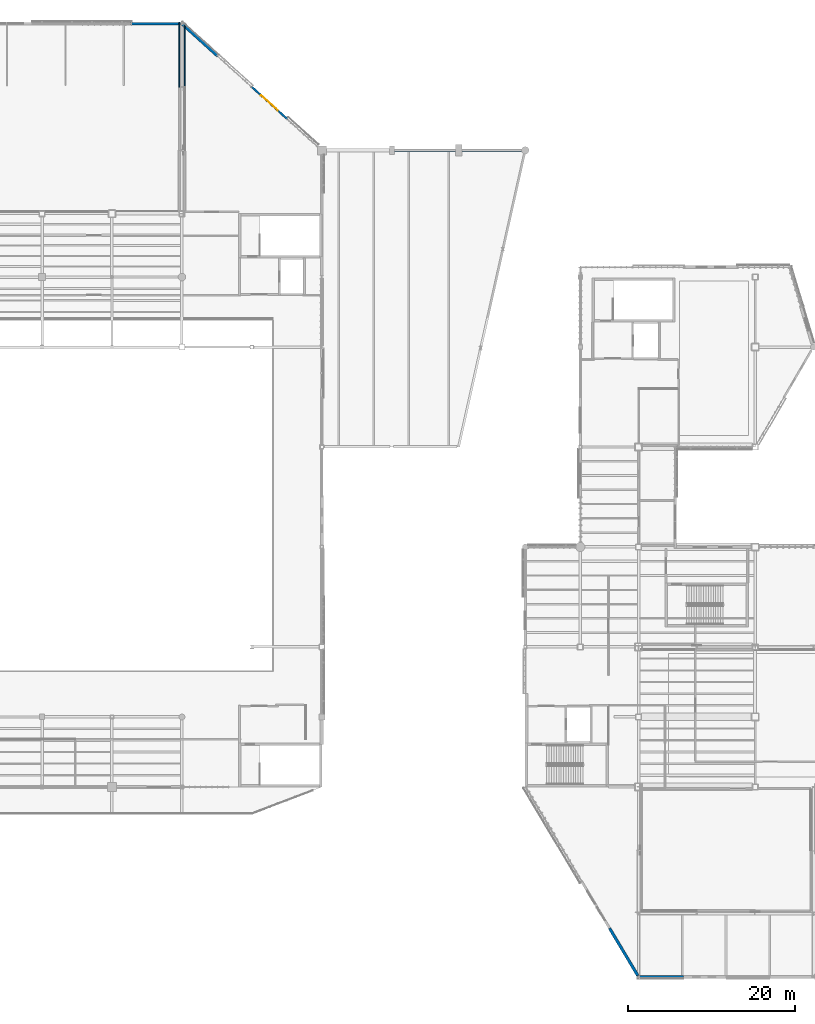
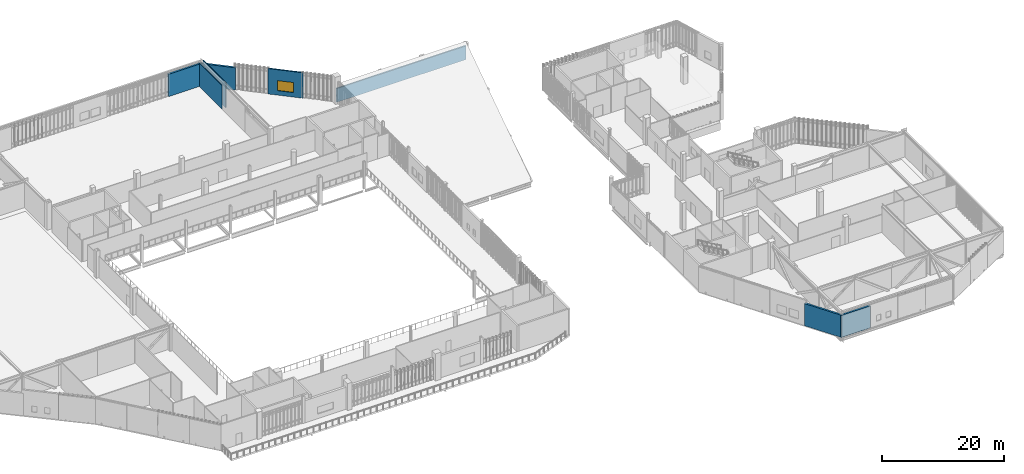
# One storey, part 119 of 135: 8 walls, 1 window, 1 opening.
"""IFC4 building model written with IfcOpenShell, lengths in metres."""

from ifc_helpers import new_model, si_unit, direction, frame, frame_2d, origin, place, context, subcontext, project, spatial, rectangle, extrude, material, layer, layer_set, type_object, element, fill, save


model = new_model("IFC4")

# Units and contexts
model_context = context("Model", 3, precision=1e-05, world=origin(), true_north=direction((0.0, 1.0)))
body_context = subcontext(model_context, "Body", "Model", "MODEL_VIEW")
ifc_project = project(units=[si_unit("LENGTHUNIT", "METRE"), si_unit("AREAUNIT", "SQUARE_METRE"), si_unit("VOLUMEUNIT", "CUBIC_METRE"), si_unit("PLANEANGLEUNIT", "RADIAN"), si_unit("MASSUNIT", "GRAM", prefix="KILO")], contexts=[model_context])

# Site, building, storey
site_placement = place(None, origin())
site = spatial("IfcSite", under=ifc_project, at=site_placement, CompositionType="ELEMENT")
building_placement = place(site_placement, origin())
building = spatial("IfcBuilding", under=site, at=building_placement, Name="Larkvane Passage Sports Hall", CompositionType="ELEMENT")
storey_placement = place(building_placement, frame((0.0, 0.0, 16.800048828125)))
storey = spatial("IfcBuildingStorey", under=building, at=storey_placement, Name="L03", CompositionType="ELEMENT", Elevation=16.800048828125)

# Wall, opening, window
ifc_material_1 = material(Name="Concrete C40/50", Category="concrete")
ifc_layer_1 = layer(ifc_material_1, 0.239990234375)
ifc_layer_set_1 = layer_set([ifc_layer_1], Name="Concrete C40/50")
wall_type_1 = type_object("IfcWallType", Name="WL-EXT-240", PredefinedType="SOLIDWALL", material=ifc_layer_set_1)
wall_1_placement = place(storey_placement, frame((85.114501953125, 106.877197265625, 0.0), z_axis=(0.0, 0.0, 1.0), x_axis=(0.741534797861, -0.670914408521, 0.0)))
wall_1 = element("IfcWall", 1, at=wall_1_placement, inside=storey, type_object=wall_type_1, Name="Exterior wall WAL-EXT-L03-201", PredefinedType="SOLIDWALL", context=body_context, shape_type="SweptSolid", body=[
    extrude(rectangle(XDim=5.894287109375, YDim=0.239990234375, at=frame_2d((2.947265625, 0.0))), origin(), (0.0, 0.0, 1.0), 5.070068359375),
])
opening_placement = place(wall_1_placement, frame((1.596923828125, 0.0, 0.89990234375)))
opening = element("IfcOpeningElement", 2, at=opening_placement, cuts=wall_1, Name="Opening W-05", PredefinedType="OPENING", context=body_context, shape_type="SweptSolid", body=[
    extrude(rectangle(XDim=2.699951171875, YDim=2.0, at=frame_2d((1.35009765625, 1.0))), frame((0.0, 0.1298828125, 0.0), z_axis=(0.0, -1.0, 0.0), x_axis=(1.0, 0.0, 0.0)), (0.0, 0.0, 1.0), 0.260009765625),
])
ifc_material_2 = material(Name="Thermally broken aluminium and laminated low-E glass", Category="aluminium")
window_type = type_object("IfcWindowType", Name="WN-FIX-2700x2000", PartitioningType="TRIPLE_PANEL_VERTICAL", PredefinedType="WINDOW", material=ifc_material_2)
window_placement = place(opening_placement, origin())
window = element("IfcWindow", 3, at=window_placement, inside=storey, type_object=window_type, Name="Window L03-090", OverallHeight=2.0, OverallWidth=2.699951171875, PartitioningType="TRIPLE_PANEL_VERTICAL", PredefinedType="WINDOW", context=body_context, shape_type="SweptSolid", body=[
    extrude(rectangle(XDim=2.699951171875, YDim=2.0, at=frame_2d((1.35009765625, 1.0))), frame((0.0, 0.030029296875, 0.0), z_axis=(0.0, -1.0, 0.0), x_axis=(1.0, 0.0, 0.0)), (0.0, 0.0, 1.0), 0.06005859375),
])
fill(opening, window)

# Walls
ifc_material_3 = material(Name="Precast concrete C45/55", Category="concrete")
ifc_layer_2 = layer(ifc_material_3, 0.344970703125)
ifc_layer_set_2 = layer_set([ifc_layer_2], Name="Precast concrete C45/55")
wall_type_2 = type_object("IfcWallType", Name="WL-EXT-345", PredefinedType="SOLIDWALL", material=ifc_layer_set_2)
wall_2_placement = place(storey_placement, frame((137.015625, 0.0, 0.0), z_axis=(0.0, 0.0, 1.0), x_axis=(-1.0, 0.0, 0.0)))
element("IfcWall", 4, at=wall_2_placement, inside=storey, type_object=wall_type_2, Name="Exterior wall WAL-EXT-L03-176", PredefinedType="SOLIDWALL", context=body_context, shape_type="SweptSolid", body=[
    extrude(rectangle(XDim=5.581298828125, YDim=0.344970703125, at=frame_2d((2.79052734375, 0.0))), origin(), (0.0, 0.0, 1.0), 4.419921875),
])
wall_3_placement = place(storey_placement, frame((131.684814453125, -0.14208984375, 0.0), z_axis=(0.0, 0.0, 1.0), x_axis=(-0.51227331412, 0.858822479701, 0.0)))
element("IfcWall", 5, at=wall_3_placement, inside=storey, type_object=wall_type_2, Name="Exterior wall WAL-EXT-L03-177", PredefinedType="SOLIDWALL", context=body_context, shape_type="SweptSolid", body=[
    extrude(rectangle(XDim=6.968017578125, YDim=0.344970703125, at=frame_2d((3.48388671875, 0.0))), origin(), (0.0, 0.0, 1.0), 4.419921875),
])
wall_4_placement = place(storey_placement, frame((70.634521484375, 114.39990234375, 0.0), z_axis=(0.0, 0.0, 1.0), x_axis=(1.0, 0.0, 0.0)))
element("IfcWall", 6, at=wall_4_placement, inside=storey, type_object=wall_type_2, Name="Exterior wall WAL-EXT-L03-199", PredefinedType="SOLIDWALL", context=body_context, shape_type="SweptSolid", body=[
    extrude(rectangle(XDim=6.3310546875, YDim=0.344970703125, at=frame_2d((3.16552734375, 0.0))), origin(), (0.0, 0.0, 1.0), 4.449951171875),
])
wall_5_placement = place(storey_placement, frame((76.67724609375, 114.510986328125, 0.0), z_axis=(0.0, 0.0, 1.0), x_axis=(0.74155218041, -0.670895195786, 0.0)))
element("IfcWall", 7, at=wall_5_placement, inside=storey, type_object=wall_type_2, Name="Exterior wall WAL-EXT-L03-200", PredefinedType="SOLIDWALL", context=body_context, shape_type="SweptSolid", body=[
    extrude(rectangle(XDim=5.994873046875, YDim=0.344970703125, at=frame_2d((2.99755859375, 0.0))), origin(), (0.0, 0.0, 1.0), 4.449951171875),
])
ifc_layer_3 = layer(ifc_material_3, 0.260009765625)
ifc_layer_set_3 = layer_set([ifc_layer_3], Name="Precast concrete C45/55")
wall_type_3 = type_object("IfcWallType", Name="WL-GABLE-260", PredefinedType="SOLIDWALL", material=ifc_layer_set_3)
wall_6_placement = place(storey_placement, frame((118.0, 99.199951171875, 0.0), z_axis=(0.0, 0.0, 1.0), x_axis=(-1.0, 0.0, 0.0)))
element("IfcWall", 8, at=wall_6_placement, inside=storey, type_object=wall_type_3, Name="Climbing wedge sloped roof gable WAL-GABLE-V3-N", PredefinedType="SOLIDWALL", context=body_context, shape_type="SweptSolid", body=[
    extrude(rectangle(XDim=24.39990234375, YDim=0.260009765625, at=frame_2d((12.199951171875, 0.0))), origin(), (0.0, 0.0, 1.0), 2.739990234375),
])
ifc_material_4 = material(Name="Gypsum twin-stud fire-rated partition")
ifc_layer_4 = layer(ifc_material_4, 0.125)
ifc_layer_set_4 = layer_set([ifc_layer_4], Name="Gypsum twin-stud fire-rated partition")
wall_type_4 = type_object("IfcWallType", Name="WL-PART-125", PredefinedType="PARTITIONING", material=ifc_layer_set_4)
wall_7_placement = place(storey_placement, frame((76.4599609375, 114.551513671875, 0.0), z_axis=(0.0, 0.0, 1.0), x_axis=(0.0, -1.0, 0.0)))
element("IfcWall", 9, at=wall_7_placement, inside=storey, type_object=wall_type_4, Name="Interior partition WAL-PART-L03-0298", PredefinedType="PARTITIONING", context=body_context, shape_type="SweptSolid", body=[
    extrude(rectangle(XDim=7.75146484375, YDim=0.125, at=frame_2d((3.875732421875, 0.0))), origin(), (0.0, 0.0, 1.0), 4.64990234375),
])
wall_8_placement = place(storey_placement, frame((77.139892578125, 106.800048828125, 0.0), z_axis=(0.0, 0.0, 1.0), x_axis=(0.0, 1.0, 0.0)))
element("IfcWall", 10, at=wall_8_placement, inside=storey, type_object=wall_type_4, Name="Interior partition WAL-PART-L03-0306", PredefinedType="PARTITIONING", context=body_context, shape_type="SweptSolid", body=[
    extrude(rectangle(XDim=7.385009765625, YDim=0.125, at=frame_2d((3.6923828125, 0.0))), origin(), (0.0, 0.0, 1.0), 5.050048828125),
])

save(model, "model.ifc")
